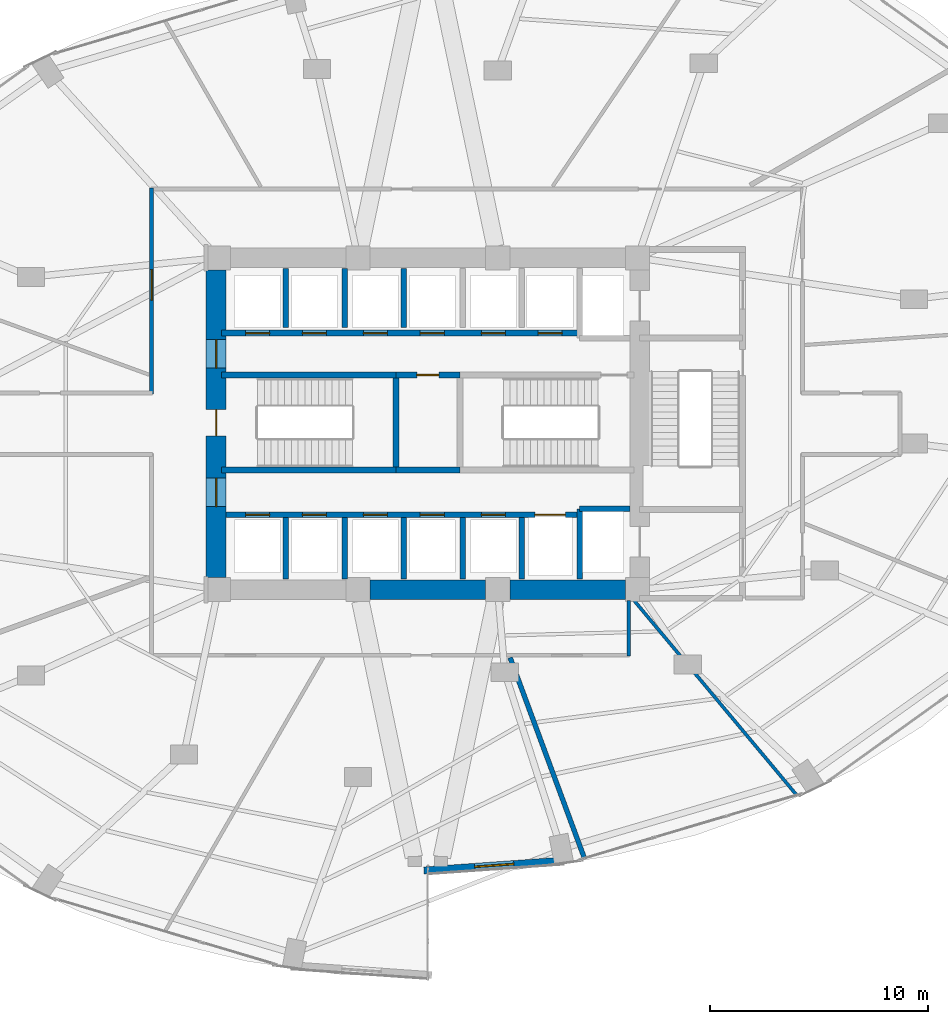
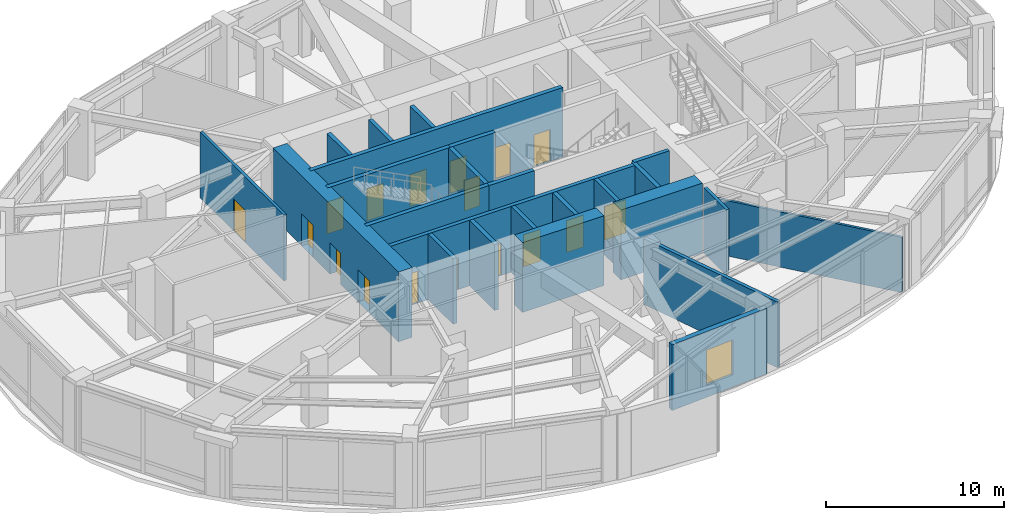
# One storey, part 21 of 24: 25 walls, 17 doors, 1 window, 18 openings.
"""IFC4 building model written with IfcOpenShell, lengths in metres."""

from ifc_helpers import new_model, si_unit, direction, frame, frame_2d, origin, place, context, subcontext, project, spatial, rectangle, extrude, material, layer, layer_set, type_object, element, fill, save


model = new_model("IFC4")

# Units and contexts
model_context = context("Model", 3, precision=1e-05, world=origin(), true_north=direction((0.0, 1.0)))
body_context = subcontext(model_context, "Body", "Model", "MODEL_VIEW")
ifc_project = project(units=[si_unit("LENGTHUNIT", "METRE"), si_unit("AREAUNIT", "SQUARE_METRE"), si_unit("VOLUMEUNIT", "CUBIC_METRE"), si_unit("PLANEANGLEUNIT", "RADIAN"), si_unit("MASSUNIT", "GRAM", prefix="KILO")], contexts=[model_context])

# Site, building, storey
site_placement = place(None, origin())
site = spatial("IfcSite", under=ifc_project, at=site_placement, CompositionType="ELEMENT")
building_placement = place(site_placement, origin())
building = spatial("IfcBuilding", under=site, at=building_placement, Name="Lazwardi Medical Tower", CompositionType="ELEMENT")
storey_placement = place(building_placement, frame((0.0, 0.0, 15.60009765625)))
storey = spatial("IfcBuildingStorey", under=building, at=storey_placement, Name="L03", CompositionType="ELEMENT", Elevation=15.60009765625)

# Wall, opening, door
ifc_material_1 = material(Name="Fire-rated gypsum board on steel stud", Category="steel")
ifc_layer_1 = layer(ifc_material_1, 0.179931640625)
ifc_layer_set_1 = layer_set([ifc_layer_1], Name="Fire-rated gypsum board on steel stud")
wall_type_1 = type_object("IfcWallType", Name="WL-COR-180", PredefinedType="PARTITIONING", material=ifc_layer_set_1)
wall_1_placement = place(storey_placement, frame((23.35009765625, 29.360107421875, 0.0), z_axis=(0.0, 0.0, 1.0), x_axis=(0.0, 1.0, 0.0)))
wall_1 = element("IfcWall", 1, at=wall_1_placement, inside=storey, type_object=wall_type_1, Name="L03 Corridor partition 3", PredefinedType="PARTITIONING", context=body_context, shape_type="SweptSolid", body=[
    extrude(rectangle(XDim=9.429931640625, YDim=0.179931640625, at=frame_2d((4.71484375, 0.0))), origin(), (0.0, 0.0, 1.0), 4.52001953125),
])
opening_1_placement = place(wall_1_placement, frame((4.298095703125, 0.0, 0.0)))
opening_1 = element("IfcOpeningElement", 2, at=opening_1_placement, cuts=wall_1, Name="Opening D-L03-015", PredefinedType="OPENING", context=body_context, shape_type="SweptSolid", body=[
    extrude(rectangle(XDim=1.39990234375, YDim=2.199951171875, at=frame_2d((0.699951171875, 1.10009765625))), frame((0.0, 0.099853515625, 0.0), z_axis=(0.0, -1.0, 0.0), x_axis=(1.0, 0.0, 0.0)), (0.0, 0.0, 1.0), 0.199951171875),
])
ifc_material_2 = material(Name="Anti-microbial laminate hospital leaf")
door_type_1 = type_object("IfcDoorType", Name="DR-BED-1400", OperationType="NOTDEFINED", PredefinedType="DOOR", material=ifc_material_2)
door_1_placement = place(opening_1_placement, origin())
door_1 = element("IfcDoor", 3, at=door_1_placement, inside=storey, type_object=door_type_1, Name="L03 Sterile Preparation Room Door 10", OperationType="SINGLE_SWING_RIGHT", OverallHeight=2.199951171875, OverallWidth=1.39990234375, PredefinedType="DOOR", context=body_context, shape_type="SweptSolid", body=[
    extrude(rectangle(XDim=1.39990234375, YDim=2.199951171875, at=frame_2d((0.699951171875, 1.10009765625))), frame((0.0, 0.02490234375, 0.0), z_axis=(0.0, -1.0, 0.0), x_axis=(1.0, 0.0, 0.0)), (0.0, 0.0, 1.0), 0.050048828125),
])
fill(opening_1, door_1)

# Wall
wall_2_placement = place(storey_placement, frame((45.199951171875, 19.909912109375, 0.0), z_axis=(0.0, 0.0, 1.0), x_axis=(0.0, -1.0, 0.0)))
element("IfcWall", 4, at=wall_2_placement, inside=storey, type_object=wall_type_1, Name="L03 Corridor partition 13", PredefinedType="PARTITIONING", context=body_context, shape_type="SweptSolid", body=[
    extrude(rectangle(XDim=2.5498046875, YDim=0.179931640625, at=frame_2d((1.27490234375, 0.0))), origin(), (0.0, 0.0, 1.0), 4.52001953125),
])

# Wall, openings, doors
ifc_material_3 = material(Name="Concrete C80/95", Category="concrete")
ifc_layer_2 = layer(ifc_material_3, 0.89990234375)
ifc_layer_set_2 = layer_set([ifc_layer_2], Name="Concrete C80/95")
wall_type_2 = type_object("IfcWallType", Name="WL-CORE-900", PredefinedType="SHEAR", material=ifc_layer_set_2)
wall_3_placement = place(storey_placement, frame((26.300048828125, 20.949951171875, 0.0), z_axis=(0.0, 0.0, 1.0), x_axis=(0.0, 1.0, 0.0)))
wall_3 = element("IfcWall", 5, at=wall_3_placement, inside=storey, type_object=wall_type_2, Name="Core wall CW-S1 west L03", PredefinedType="SHEAR", context=body_context, shape_type="SweptSolid", body=[
    extrude(rectangle(XDim=14.10009765625, YDim=0.89990234375, at=frame_2d((7.050048828125, 0.0))), origin(), (0.0, 0.0, 1.0), 4.7998046875),
])
opening_2_placement = place(wall_3_placement, frame((6.5, 0.0, 0.0)))
opening_2 = element("IfcOpeningElement", 6, at=opening_2_placement, cuts=wall_3, Name="Opening D-L03-016", PredefinedType="OPENING", context=body_context, shape_type="SweptSolid", body=[
    extrude(rectangle(XDim=1.199951171875, YDim=2.14990234375, at=frame_2d((0.60009765625, 1.074951171875))), frame((0.0, 0.4599609375, 0.0), z_axis=(0.0, -1.0, 0.0), x_axis=(1.0, 0.0, 0.0)), (0.0, 0.0, 1.0), 0.919921875),
])
opening_3_placement = place(wall_3_placement, frame((9.60009765625, 0.0, 0.0)))
opening_3 = element("IfcOpeningElement", 7, at=opening_3_placement, cuts=wall_3, Name="Opening D-L03-004", PredefinedType="OPENING", context=body_context, shape_type="SweptSolid", body=[
    extrude(rectangle(XDim=1.300048828125, YDim=2.199951171875, at=frame_2d((0.64990234375, 1.10009765625))), frame((0.0, 0.4599609375, 0.0), z_axis=(0.0, -1.0, 0.0), x_axis=(1.0, 0.0, 0.0)), (0.0, 0.0, 1.0), 0.919921875),
])
opening_4_placement = place(wall_3_placement, frame((3.260009765625, 0.0, 0.0)))
opening_4 = element("IfcOpeningElement", 8, at=opening_4_placement, cuts=wall_3, Name="Opening D-L03-005", PredefinedType="OPENING", context=body_context, shape_type="SweptSolid", body=[
    extrude(rectangle(XDim=1.300048828125, YDim=2.199951171875, at=frame_2d((0.64990234375, 1.10009765625))), frame((0.0, 0.4599609375, 0.0), z_axis=(0.0, -1.0, 0.0), x_axis=(1.0, 0.0, 0.0)), (0.0, 0.0, 1.0), 0.919921875),
])
ifc_material_4 = material(Name="Fire-rated steel leaf and frame", Category="steel")
door_type_2 = type_object("IfcDoorType", Name="DR-FFL-1300", OperationType="NOTDEFINED", PredefinedType="DOOR", material=ifc_material_4)
door_2_placement = place(opening_3_placement, origin())
door_2 = element("IfcDoor", 9, at=door_2_placement, inside=storey, type_object=door_type_2, Name="L03 North Lift Lobby Door", OperationType="SINGLE_SWING_RIGHT", OverallHeight=2.199951171875, OverallWidth=1.300048828125, PredefinedType="DOOR", context=body_context, shape_type="SweptSolid", body=[
    extrude(rectangle(XDim=1.300048828125, YDim=2.199951171875, at=frame_2d((0.64990234375, 1.10009765625))), frame((0.0, 0.02490234375, 0.0), z_axis=(0.0, -1.0, 0.0), x_axis=(1.0, 0.0, 0.0)), (0.0, 0.0, 1.0), 0.050048828125),
])
fill(opening_3, door_2)
door_3_placement = place(opening_4_placement, origin())
door_3 = element("IfcDoor", 10, at=door_3_placement, inside=storey, type_object=door_type_2, Name="L03 South Lift Lobby Door", OperationType="SINGLE_SWING_LEFT", OverallHeight=2.199951171875, OverallWidth=1.300048828125, PredefinedType="DOOR", context=body_context, shape_type="SweptSolid", body=[
    extrude(rectangle(XDim=1.300048828125, YDim=2.199951171875, at=frame_2d((0.64990234375, 1.10009765625))), frame((0.0, 0.02490234375, 0.0), z_axis=(0.0, -1.0, 0.0), x_axis=(1.0, 0.0, 0.0)), (0.0, 0.0, 1.0), 0.050048828125),
])
fill(opening_4, door_3)
door_type_3 = type_object("IfcDoorType", Name="DR-STR-1200", OperationType="NOTDEFINED", PredefinedType="DOOR", material=ifc_material_4)
door_4_placement = place(opening_2_placement, origin())
door_4 = element("IfcDoor", 11, at=door_4_placement, inside=storey, type_object=door_type_3, Name="L03 Exit Stair ST1 Door", OperationType="SINGLE_SWING_LEFT", OverallHeight=2.14990234375, OverallWidth=1.199951171875, PredefinedType="DOOR", context=body_context, shape_type="SweptSolid", body=[
    extrude(rectangle(XDim=1.199951171875, YDim=2.14990234375, at=frame_2d((0.60009765625, 1.074951171875))), frame((0.0, 0.02490234375, 0.0), z_axis=(0.0, -1.0, 0.0), x_axis=(1.0, 0.0, 0.0)), (0.0, 0.0, 1.0), 0.050048828125),
])
fill(opening_2, door_4)

# Walls
wall_4_placement = place(storey_placement, frame((33.35009765625, 20.39990234375, 0.0), z_axis=(0.0, 0.0, 1.0), x_axis=(1.0, 0.0, 0.0)))
element("IfcWall", 12, at=wall_4_placement, inside=storey, type_object=wall_type_2, Name="Core wall CW-S1 S2 L03", PredefinedType="SHEAR", context=body_context, shape_type="SweptSolid", body=[
    extrude(rectangle(XDim=5.2998046875, YDim=0.89990234375, at=frame_2d((2.64990234375, 0.0))), origin(), (0.0, 0.0, 1.0), 4.7998046875),
])
wall_5_placement = place(storey_placement, frame((39.75, 20.39990234375, 0.0), z_axis=(0.0, 0.0, 1.0), x_axis=(1.0, 0.0, 0.0)))
element("IfcWall", 13, at=wall_5_placement, inside=storey, type_object=wall_type_2, Name="Core wall CW-S1 S3 L03", PredefinedType="SHEAR", context=body_context, shape_type="SweptSolid", body=[
    extrude(rectangle(XDim=5.300048828125, YDim=0.89990234375, at=frame_2d((2.64990234375, 0.0))), origin(), (0.0, 0.0, 1.0), 4.7998046875),
])

# Wall, opening, window
ifc_material_5 = material(Name="Precast concrete C45/55", Category="concrete")
ifc_layer_3 = layer(ifc_material_5, 0.320068359375)
ifc_layer_set_3 = layer_set([ifc_layer_3], Name="Precast concrete C45/55")
wall_type_3 = type_object("IfcWallType", Name="WL-IWAN-320", PredefinedType="SOLIDWALL", material=ifc_layer_set_3)
wall_6_placement = place(storey_placement, frame((35.8203125, 7.54736328125, 0.0), z_axis=(0.0, 0.0, 1.0), x_axis=(0.99751367159, 0.070473221795, 0.0)))
wall_6 = element("IfcWall", 14, at=wall_6_placement, inside=storey, type_object=wall_type_3, Name="L03 Iwan Portal Return Wall SE_ret", PredefinedType="SOLIDWALL", context=body_context, shape_type="SweptSolid", body=[
    extrude(rectangle(XDim=6.45751953125, YDim=0.320068359375, at=frame_2d((3.228759765625, 0.0))), origin(), (0.0, 0.0, 1.0), 4.52001953125),
])
opening_5_placement = place(wall_6_placement, frame((2.32861328125, 0.0, 0.85009765625)))
opening_5 = element("IfcOpeningElement", 15, at=opening_5_placement, cuts=wall_6, Name="Opening WN-03", PredefinedType="OPENING", context=body_context, shape_type="SweptSolid", body=[
    extrude(rectangle(XDim=1.800048828125, YDim=2.39990234375, at=frame_2d((0.89990234375, 1.199951171875))), frame((0.0, 0.169921875, 0.0), z_axis=(0.0, -1.0, 0.0), x_axis=(1.0, 0.0, 0.0)), (0.0, 0.0, 1.0), 0.340087890625),
])
ifc_material_6 = material(Name="Laminated acoustic bronze double glazing", Category="glass")
window_type = type_object("IfcWindowType", Name="WIN-POD-1800", PartitioningType="SINGLE_PANEL", PredefinedType="WINDOW", material=ifc_material_6)
window_placement = place(opening_5_placement, origin())
window = element("IfcWindow", 16, at=window_placement, inside=storey, type_object=window_type, Name="L03 Iwan Slot Window SE_ret", OverallHeight=2.39990234375, OverallWidth=1.800048828125, PartitioningType="SINGLE_PANEL", PredefinedType="WINDOW", context=body_context, shape_type="SweptSolid", body=[
    extrude(rectangle(XDim=1.800048828125, YDim=2.39990234375, at=frame_2d((0.89990234375, 1.199951171875))), frame((0.0, 0.030029296875, 0.0), z_axis=(0.0, -1.0, 0.0), x_axis=(1.0, 0.0, 0.0)), (0.0, 0.0, 1.0), 0.06005859375),
])
fill(opening_5, window)

# Wall, openings, doors
ifc_material_7 = material(Name="Autoclaved aerated concrete blockwork", Category="masonry")
ifc_layer_4 = layer(ifc_material_7, 0.25)
ifc_layer_set_4 = layer_set([ifc_layer_4], Name="Autoclaved aerated concrete blockwork")
wall_type_4 = type_object("IfcWallType", Name="WL-SHAFT-250", PredefinedType="SOLIDWALL", material=ifc_layer_set_4)
wall_7_placement = place(storey_placement, frame((26.75, 23.830078125, 0.0), z_axis=(0.0, 0.0, 1.0), x_axis=(1.0, 0.0, 0.0)))
wall_7 = element("IfcWall", 17, at=wall_7_placement, inside=storey, type_object=wall_type_4, Name="L03 South lift bank front wall", PredefinedType="SOLIDWALL", context=body_context, shape_type="SweptSolid", body=[
    extrude(rectangle(XDim=16.199951171875, YDim=0.25, at=frame_2d((8.10009765625, 0.0))), origin(), (0.0, 0.0, 1.0), 4.52001953125),
])
opening_6_placement = place(wall_7_placement, frame((0.89990234375, 0.0, 0.0)))
opening_6 = element("IfcOpeningElement", 18, at=opening_6_placement, cuts=wall_7, Name="Opening LD-L03-006", PredefinedType="OPENING", context=body_context, shape_type="SweptSolid", body=[
    extrude(rectangle(XDim=1.10009765625, YDim=2.199951171875, at=frame_2d((0.550048828125, 1.10009765625))), frame((0.0, 0.135009765625, 0.0), z_axis=(0.0, -1.0, 0.0), x_axis=(1.0, 0.0, 0.0)), (0.0, 0.0, 1.0), 0.27001953125),
])
opening_7_placement = place(wall_7_placement, frame((3.5, 0.0, 0.0)))
opening_7 = element("IfcOpeningElement", 19, at=opening_7_placement, cuts=wall_7, Name="Opening LD-L03-007", PredefinedType="OPENING", context=body_context, shape_type="SweptSolid", body=[
    extrude(rectangle(XDim=1.10009765625, YDim=2.199951171875, at=frame_2d((0.550048828125, 1.10009765625))), frame((0.0, 0.135009765625, 0.0), z_axis=(0.0, -1.0, 0.0), x_axis=(1.0, 0.0, 0.0)), (0.0, 0.0, 1.0), 0.27001953125),
])
opening_8_placement = place(wall_7_placement, frame((6.300048828125, 0.0, 0.0)))
opening_8 = element("IfcOpeningElement", 20, at=opening_8_placement, cuts=wall_7, Name="Opening LD-L03-010", PredefinedType="OPENING", context=body_context, shape_type="SweptSolid", body=[
    extrude(rectangle(XDim=1.10009765625, YDim=2.199951171875, at=frame_2d((0.550048828125, 1.10009765625))), frame((0.0, 0.135009765625, 0.0), z_axis=(0.0, -1.0, 0.0), x_axis=(1.0, 0.0, 0.0)), (0.0, 0.0, 1.0), 0.27001953125),
])
opening_9_placement = place(wall_7_placement, frame((8.89990234375, 0.0, 0.0)))
opening_9 = element("IfcOpeningElement", 21, at=opening_9_placement, cuts=wall_7, Name="Opening LD-L03-011", PredefinedType="OPENING", context=body_context, shape_type="SweptSolid", body=[
    extrude(rectangle(XDim=1.10009765625, YDim=2.199951171875, at=frame_2d((0.550048828125, 1.10009765625))), frame((0.0, 0.135009765625, 0.0), z_axis=(0.0, -1.0, 0.0), x_axis=(1.0, 0.0, 0.0)), (0.0, 0.0, 1.0), 0.27001953125),
])
opening_10_placement = place(wall_7_placement, frame((11.699951171875, 0.0, 0.0)))
opening_10 = element("IfcOpeningElement", 22, at=opening_10_placement, cuts=wall_7, Name="Opening LD-L03-014", PredefinedType="OPENING", context=body_context, shape_type="SweptSolid", body=[
    extrude(rectangle(XDim=1.10009765625, YDim=2.199951171875, at=frame_2d((0.550048828125, 1.10009765625))), frame((0.0, 0.135009765625, 0.0), z_axis=(0.0, -1.0, 0.0), x_axis=(1.0, 0.0, 0.0)), (0.0, 0.0, 1.0), 0.27001953125),
])
opening_11_placement = place(wall_7_placement, frame((14.14990234375, 0.0, 0.0)))
opening_11 = element("IfcOpeningElement", 23, at=opening_11_placement, cuts=wall_7, Name="Opening LD-L03-003", PredefinedType="OPENING", context=body_context, shape_type="SweptSolid", body=[
    extrude(rectangle(XDim=1.39990234375, YDim=2.300048828125, at=frame_2d((0.699951171875, 1.14990234375))), frame((0.0, 0.135009765625, 0.0), z_axis=(0.0, -1.0, 0.0), x_axis=(1.0, 0.0, 0.0)), (0.0, 0.0, 1.0), 0.27001953125),
])
ifc_material_8 = material(Name="Brushed bronze stainless steel landing door", Category="steel")
door_type_4 = type_object("IfcDoorType", Name="DR-LFT-1100", OperationType="NOTDEFINED", PredefinedType="DOOR", material=ifc_material_8)
door_5_placement = place(opening_6_placement, origin())
door_5 = element("IfcDoor", 24, at=door_5_placement, inside=storey, type_object=door_type_4, Name="L03 Lift Landing Door PL-03", OperationType="SLIDING_TO_LEFT", OverallHeight=2.199951171875, OverallWidth=1.10009765625, PredefinedType="DOOR", context=body_context, shape_type="SweptSolid", body=[
    extrude(rectangle(XDim=1.10009765625, YDim=2.199951171875, at=frame_2d((0.550048828125, 1.10009765625))), frame((0.0, 0.02490234375, 0.0), z_axis=(0.0, -1.0, 0.0), x_axis=(1.0, 0.0, 0.0)), (0.0, 0.0, 1.0), 0.050048828125),
])
fill(opening_6, door_5)
door_6_placement = place(opening_7_placement, origin())
door_6 = element("IfcDoor", 25, at=door_6_placement, inside=storey, type_object=door_type_4, Name="L03 Lift Landing Door PL-04", OperationType="SLIDING_TO_LEFT", OverallHeight=2.199951171875, OverallWidth=1.10009765625, PredefinedType="DOOR", context=body_context, shape_type="SweptSolid", body=[
    extrude(rectangle(XDim=1.10009765625, YDim=2.199951171875, at=frame_2d((0.550048828125, 1.10009765625))), frame((0.0, 0.02490234375, 0.0), z_axis=(0.0, -1.0, 0.0), x_axis=(1.0, 0.0, 0.0)), (0.0, 0.0, 1.0), 0.050048828125),
])
fill(opening_7, door_6)
door_7_placement = place(opening_8_placement, origin())
door_7 = element("IfcDoor", 26, at=door_7_placement, inside=storey, type_object=door_type_4, Name="L03 Lift Landing Door PL-07", OperationType="SLIDING_TO_LEFT", OverallHeight=2.199951171875, OverallWidth=1.10009765625, PredefinedType="DOOR", context=body_context, shape_type="SweptSolid", body=[
    extrude(rectangle(XDim=1.10009765625, YDim=2.199951171875, at=frame_2d((0.550048828125, 1.10009765625))), frame((0.0, 0.02490234375, 0.0), z_axis=(0.0, -1.0, 0.0), x_axis=(1.0, 0.0, 0.0)), (0.0, 0.0, 1.0), 0.050048828125),
])
fill(opening_8, door_7)
door_8_placement = place(opening_9_placement, origin())
door_8 = element("IfcDoor", 27, at=door_8_placement, inside=storey, type_object=door_type_4, Name="L03 Lift Landing Door PL-08", OperationType="SLIDING_TO_LEFT", OverallHeight=2.199951171875, OverallWidth=1.10009765625, PredefinedType="DOOR", context=body_context, shape_type="SweptSolid", body=[
    extrude(rectangle(XDim=1.10009765625, YDim=2.199951171875, at=frame_2d((0.550048828125, 1.10009765625))), frame((0.0, 0.02490234375, 0.0), z_axis=(0.0, -1.0, 0.0), x_axis=(1.0, 0.0, 0.0)), (0.0, 0.0, 1.0), 0.050048828125),
])
fill(opening_9, door_8)
door_9_placement = place(opening_10_placement, origin())
door_9 = element("IfcDoor", 28, at=door_9_placement, inside=storey, type_object=door_type_4, Name="L03 Lift Landing Door PL-11", OperationType="SLIDING_TO_LEFT", OverallHeight=2.199951171875, OverallWidth=1.10009765625, PredefinedType="DOOR", context=body_context, shape_type="SweptSolid", body=[
    extrude(rectangle(XDim=1.10009765625, YDim=2.199951171875, at=frame_2d((0.550048828125, 1.10009765625))), frame((0.0, 0.02490234375, 0.0), z_axis=(0.0, -1.0, 0.0), x_axis=(1.0, 0.0, 0.0)), (0.0, 0.0, 1.0), 0.050048828125),
])
fill(opening_10, door_9)
ifc_material_9 = material(Name="Brushed stainless steel bed-lift landing door", Category="steel")
door_type_5 = type_object("IfcDoorType", Name="DR-LFT-1400", OperationType="NOTDEFINED", PredefinedType="DOOR", material=ifc_material_9)
door_10_placement = place(opening_11_placement, origin())
door_10 = element("IfcDoor", 29, at=door_10_placement, inside=storey, type_object=door_type_5, Name="L03 Lift Landing Door FL-03", OperationType="SLIDING_TO_LEFT", OverallHeight=2.300048828125, OverallWidth=1.39990234375, PredefinedType="DOOR", context=body_context, shape_type="SweptSolid", body=[
    extrude(rectangle(XDim=1.39990234375, YDim=2.300048828125, at=frame_2d((0.699951171875, 1.14990234375))), frame((0.0, 0.02490234375, 0.0), z_axis=(0.0, -1.0, 0.0), x_axis=(1.0, 0.0, 0.0)), (0.0, 0.0, 1.0), 0.050048828125),
])
fill(opening_11, door_10)

# Walls
wall_8_placement = place(storey_placement, frame((42.949951171875, 20.89990234375, 0.0), z_axis=(0.0, 0.0, 1.0), x_axis=(0.0, 1.0, 0.0)))
element("IfcWall", 30, at=wall_8_placement, inside=storey, type_object=wall_type_4, Name="L03 FL-02 West shaft wall", PredefinedType="SOLIDWALL", context=body_context, shape_type="SweptSolid", body=[
    extrude(rectangle(XDim=3.2001953125, YDim=0.25, at=frame_2d((1.60009765625, 0.0))), origin(), (0.0, 0.0, 1.0), 4.52001953125),
])
wall_9_placement = place(storey_placement, frame((42.949951171875, 24.10009765625, 0.0), z_axis=(0.0, 0.0, 1.0), x_axis=(1.0, 0.0, 0.0)))
element("IfcWall", 31, at=wall_9_placement, inside=storey, type_object=wall_type_4, Name="L03 FL-02 North shaft wall", PredefinedType="SOLIDWALL", context=body_context, shape_type="SweptSolid", body=[
    extrude(rectangle(XDim=2.300048828125, YDim=0.25, at=frame_2d((1.14990234375, 0.0))), origin(), (0.0, 0.0, 1.0), 4.52001953125),
])
wall_10_placement = place(storey_placement, frame((29.5, 32.419921875, 0.0), z_axis=(0.0, 0.0, 1.0), x_axis=(0.0, 1.0, 0.0)))
element("IfcWall", 32, at=wall_10_placement, inside=storey, type_object=wall_type_4, Name="L03 North hoistway divider", PredefinedType="SOLIDWALL", context=body_context, shape_type="SweptSolid", body=[
    extrude(rectangle(XDim=2.68017578125, YDim=0.25, at=frame_2d((1.340087890625, 0.0))), origin(), (0.0, 0.0, 1.0), 4.52001953125),
])
wall_11_placement = place(storey_placement, frame((29.5, 20.89990234375, 0.0), z_axis=(0.0, 0.0, 1.0), x_axis=(0.0, 1.0, 0.0)))
element("IfcWall", 33, at=wall_11_placement, inside=storey, type_object=wall_type_4, Name="L03 South hoistway divider", PredefinedType="SOLIDWALL", context=body_context, shape_type="SweptSolid", body=[
    extrude(rectangle(XDim=2.800048828125, YDim=0.25, at=frame_2d((1.39990234375, 0.0))), origin(), (0.0, 0.0, 1.0), 4.52001953125),
])
wall_12_placement = place(storey_placement, frame((32.199951171875, 32.419921875, 0.0), z_axis=(0.0, 0.0, 1.0), x_axis=(0.0, 1.0, 0.0)))
element("IfcWall", 34, at=wall_12_placement, inside=storey, type_object=wall_type_4, Name="L03 North hoistway divider", PredefinedType="SOLIDWALL", context=body_context, shape_type="SweptSolid", body=[
    extrude(rectangle(XDim=2.68017578125, YDim=0.25, at=frame_2d((1.340087890625, 0.0))), origin(), (0.0, 0.0, 1.0), 4.52001953125),
])
wall_13_placement = place(storey_placement, frame((32.199951171875, 20.89990234375, 0.0), z_axis=(0.0, 0.0, 1.0), x_axis=(0.0, 1.0, 0.0)))
element("IfcWall", 35, at=wall_13_placement, inside=storey, type_object=wall_type_4, Name="L03 South hoistway divider", PredefinedType="SOLIDWALL", context=body_context, shape_type="SweptSolid", body=[
    extrude(rectangle(XDim=2.800048828125, YDim=0.25, at=frame_2d((1.39990234375, 0.0))), origin(), (0.0, 0.0, 1.0), 4.52001953125),
])
wall_14_placement = place(storey_placement, frame((34.89990234375, 32.419921875, 0.0), z_axis=(0.0, 0.0, 1.0), x_axis=(0.0, 1.0, 0.0)))
element("IfcWall", 36, at=wall_14_placement, inside=storey, type_object=wall_type_4, Name="L03 North hoistway divider", PredefinedType="SOLIDWALL", context=body_context, shape_type="SweptSolid", body=[
    extrude(rectangle(XDim=2.68017578125, YDim=0.25, at=frame_2d((1.340087890625, 0.0))), origin(), (0.0, 0.0, 1.0), 4.52001953125),
])
for number, where, z_axis, x_axis, name in (
    (37, (34.89990234375, 20.89990234375, 0.0), (0.0, 0.0, 1.0), (0.0, 1.0, 0.0), "L03 South hoistway divider"),
    (38, (37.60009765625, 20.89990234375, 0.0), (0.0, 0.0, 1.0), (0.0, 1.0, 0.0), "L03 South hoistway divider"),
    (39, (40.300048828125, 20.89990234375, 0.0), (0.0, 0.0, 1.0), (0.0, 1.0, 0.0), "L03 South hoistway divider"),
):
    element("IfcWall", number, at=place(storey_placement, frame(where, z_axis=z_axis, x_axis=x_axis)), inside=storey, type_object=wall_type_4, Name=name, PredefinedType="SOLIDWALL", context=body_context, shape_type="SweptSolid", body=[
        extrude(rectangle(XDim=2.800048828125, YDim=0.25, at=frame_2d((1.39990234375, 0.0))), origin(), (0.0, 0.0, 1.0), 4.52001953125),
    ])
ifc_layer_5 = layer(ifc_material_1, 0.219970703125)
ifc_layer_set_5 = layer_set([ifc_layer_5], Name="Fire-rated gypsum board on steel stud")
wall_type_5 = type_object("IfcWallType", Name="WL-SMK-220", PredefinedType="PARTITIONING", material=ifc_layer_set_5)
wall_15_placement = place(storey_placement, frame((39.76708984375, 17.289794921875, 0.0), z_axis=(0.0, 0.0, 1.0), x_axis=(0.347365452064, -0.937729834607, 0.0)))
element("IfcWall", 40, at=wall_15_placement, inside=storey, type_object=wall_type_5, Name="L03 Room partition 1", PredefinedType="PARTITIONING", context=body_context, shape_type="SweptSolid", body=[
    extrude(rectangle(XDim=9.803955078125, YDim=0.219970703125, at=frame_2d((4.90185546875, 0.0))), origin(), (0.0, 0.0, 1.0), 4.52001953125),
])
ifc_material_10 = material(Name="Concrete C50/60", Category="concrete")
ifc_layer_6 = layer(ifc_material_10, 0.27001953125)
ifc_layer_set_6 = layer_set([ifc_layer_6], Name="Concrete C50/60")
wall_type_6 = type_object("IfcWallType", Name="WL-STR-250", PredefinedType="SHEAR", material=ifc_layer_set_6)
wall_16_placement = place(storey_placement, frame((26.550048828125, 30.235107421875, 0.0), z_axis=(0.0, 0.0, 1.0), x_axis=(1.0, 0.0, 0.0)))
element("IfcWall", 41, at=wall_16_placement, inside=storey, type_object=wall_type_6, Name="L03 ST1 North shear shaft wall SW-S1", PredefinedType="SHEAR", context=body_context, shape_type="SweptSolid", body=[
    extrude(rectangle(XDim=7.98486328125, YDim=0.27001953125, at=frame_2d((3.992431640625, 0.0))), origin(), (0.0, 0.0, 1.0), 4.7998046875),
])

# Wall, opening, door
wall_17_placement = place(storey_placement, frame((34.534912109375, 30.235107421875, 0.0), z_axis=(0.0, 0.0, 1.0), x_axis=(1.0, 0.0, 0.0)))
wall_17 = element("IfcWall", 42, at=wall_17_placement, inside=storey, type_object=wall_type_6, Name="L03 Core service North shear wall SW-S1", PredefinedType="SHEAR", context=body_context, shape_type="SweptSolid", body=[
    extrude(rectangle(XDim=2.93017578125, YDim=0.27001953125, at=frame_2d((1.465087890625, 0.0))), origin(), (0.0, 0.0, 1.0), 4.7998046875),
])
opening_12_placement = place(wall_17_placement, frame((0.965087890625, 0.0, 0.0)))
opening_12 = element("IfcOpeningElement", 43, at=opening_12_placement, cuts=wall_17, Name="Opening D-L03-001", PredefinedType="OPENING", context=body_context, shape_type="SweptSolid", body=[
    extrude(rectangle(XDim=1.0, YDim=2.10009765625, at=frame_2d((0.5, 1.050048828125))), frame((0.0, 0.14501953125, 0.0), z_axis=(0.0, -1.0, 0.0), x_axis=(1.0, 0.0, 0.0)), (0.0, 0.0, 1.0), 0.2900390625),
])
ifc_material_11 = material(Name="Moisture-resistant laminate door leaf")
door_type_6 = type_object("IfcDoorType", Name="DR-AWC-1000", OperationType="NOTDEFINED", PredefinedType="DOOR", material=ifc_material_11)
door_11_placement = place(opening_12_placement, origin())
door_11 = element("IfcDoor", 44, at=door_11_placement, inside=storey, type_object=door_type_6, Name="L03 Accessible WC Door", OperationType="SINGLE_SWING_LEFT", OverallHeight=2.10009765625, OverallWidth=1.0, PredefinedType="DOOR", context=body_context, shape_type="SweptSolid", body=[
    extrude(rectangle(XDim=1.0, YDim=2.10009765625, at=frame_2d((0.5, 1.050048828125))), frame((0.0, 0.02490234375, 0.0), z_axis=(0.0, -1.0, 0.0), x_axis=(1.0, 0.0, 0.0)), (0.0, 0.0, 1.0), 0.050048828125),
])
fill(opening_12, door_11)

# Walls
wall_18_placement = place(storey_placement, frame((26.550048828125, 25.885009765625, 0.0), z_axis=(0.0, 0.0, 1.0), x_axis=(1.0, 0.0, 0.0)))
element("IfcWall", 45, at=wall_18_placement, inside=storey, type_object=wall_type_6, Name="L03 ST1 South shear shaft wall SW-S1", PredefinedType="SHEAR", context=body_context, shape_type="SweptSolid", body=[
    extrude(rectangle(XDim=7.98486328125, YDim=0.27001953125, at=frame_2d((3.992431640625, 0.0))), origin(), (0.0, 0.0, 1.0), 4.7998046875),
])
wall_19_placement = place(storey_placement, frame((34.534912109375, 25.885009765625, 0.0), z_axis=(0.0, 0.0, 1.0), x_axis=(1.0, 0.0, 0.0)))
element("IfcWall", 46, at=wall_19_placement, inside=storey, type_object=wall_type_6, Name="L03 Core service South shear wall SW-S1", PredefinedType="SHEAR", context=body_context, shape_type="SweptSolid", body=[
    extrude(rectangle(XDim=2.93017578125, YDim=0.27001953125, at=frame_2d((1.465087890625, 0.0))), origin(), (0.0, 0.0, 1.0), 4.7998046875),
])
wall_20_placement = place(storey_placement, frame((34.534912109375, 26.02001953125, 0.0), z_axis=(0.0, 0.0, 1.0), x_axis=(0.0, 1.0, 0.0)))
element("IfcWall", 47, at=wall_20_placement, inside=storey, type_object=wall_type_6, Name="L03 ST1 East shear shaft wall SW-S1", PredefinedType="SHEAR", context=body_context, shape_type="SweptSolid", body=[
    extrude(rectangle(XDim=4.080078125, YDim=0.27001953125, at=frame_2d((2.0400390625, 0.0))), origin(), (0.0, 0.0, 1.0), 4.7998046875),
])

# Wall, openings, doors
wall_21_placement = place(storey_placement, frame((26.550048828125, 32.14990234375, 0.0), z_axis=(0.0, 0.0, 1.0), x_axis=(1.0, 0.0, 0.0)))
wall_21 = element("IfcWall", 48, at=wall_21_placement, inside=storey, type_object=wall_type_6, Name="L03 North lift bank shear wall SW-S1", PredefinedType="SHEAR", context=body_context, shape_type="SweptSolid", body=[
    extrude(rectangle(XDim=16.39990234375, YDim=0.27001953125, at=frame_2d((8.199951171875, 0.0))), origin(), (0.0, 0.0, 1.0), 4.7998046875),
])
opening_13_placement = place(wall_21_placement, frame((1.10009765625, 0.0, 0.0)))
opening_13 = element("IfcOpeningElement", 49, at=opening_13_placement, cuts=wall_21, Name="Opening LD-L03-004", PredefinedType="OPENING", context=body_context, shape_type="SweptSolid", body=[
    extrude(rectangle(XDim=1.10009765625, YDim=2.199951171875, at=frame_2d((0.550048828125, 1.10009765625))), frame((0.0, 0.14501953125, 0.0), z_axis=(0.0, -1.0, 0.0), x_axis=(1.0, 0.0, 0.0)), (0.0, 0.0, 1.0), 0.2900390625),
])
opening_14_placement = place(wall_21_placement, frame((3.699951171875, 0.0, 0.0)))
opening_14 = element("IfcOpeningElement", 50, at=opening_14_placement, cuts=wall_21, Name="Opening LD-L03-005", PredefinedType="OPENING", context=body_context, shape_type="SweptSolid", body=[
    extrude(rectangle(XDim=1.10009765625, YDim=2.199951171875, at=frame_2d((0.550048828125, 1.10009765625))), frame((0.0, 0.14501953125, 0.0), z_axis=(0.0, -1.0, 0.0), x_axis=(1.0, 0.0, 0.0)), (0.0, 0.0, 1.0), 0.2900390625),
])
opening_15_placement = place(wall_21_placement, frame((6.5, 0.0, 0.0)))
opening_15 = element("IfcOpeningElement", 51, at=opening_15_placement, cuts=wall_21, Name="Opening LD-L03-008", PredefinedType="OPENING", context=body_context, shape_type="SweptSolid", body=[
    extrude(rectangle(XDim=1.10009765625, YDim=2.199951171875, at=frame_2d((0.550048828125, 1.10009765625))), frame((0.0, 0.14501953125, 0.0), z_axis=(0.0, -1.0, 0.0), x_axis=(1.0, 0.0, 0.0)), (0.0, 0.0, 1.0), 0.2900390625),
])
opening_16_placement = place(wall_21_placement, frame((9.10009765625, 0.0, 0.0)))
opening_16 = element("IfcOpeningElement", 52, at=opening_16_placement, cuts=wall_21, Name="Opening LD-L03-009", PredefinedType="OPENING", context=body_context, shape_type="SweptSolid", body=[
    extrude(rectangle(XDim=1.10009765625, YDim=2.199951171875, at=frame_2d((0.550048828125, 1.10009765625))), frame((0.0, 0.14501953125, 0.0), z_axis=(0.0, -1.0, 0.0), x_axis=(1.0, 0.0, 0.0)), (0.0, 0.0, 1.0), 0.2900390625),
])
opening_17_placement = place(wall_21_placement, frame((11.89990234375, 0.0, 0.0)))
opening_17 = element("IfcOpeningElement", 53, at=opening_17_placement, cuts=wall_21, Name="Opening LD-L03-012", PredefinedType="OPENING", context=body_context, shape_type="SweptSolid", body=[
    extrude(rectangle(XDim=1.10009765625, YDim=2.199951171875, at=frame_2d((0.550048828125, 1.10009765625))), frame((0.0, 0.14501953125, 0.0), z_axis=(0.0, -1.0, 0.0), x_axis=(1.0, 0.0, 0.0)), (0.0, 0.0, 1.0), 0.2900390625),
])
opening_18_placement = place(wall_21_placement, frame((14.5, 0.0, 0.0)))
opening_18 = element("IfcOpeningElement", 54, at=opening_18_placement, cuts=wall_21, Name="Opening LD-L03-013", PredefinedType="OPENING", context=body_context, shape_type="SweptSolid", body=[
    extrude(rectangle(XDim=1.10009765625, YDim=2.199951171875, at=frame_2d((0.550048828125, 1.10009765625))), frame((0.0, 0.14501953125, 0.0), z_axis=(0.0, -1.0, 0.0), x_axis=(1.0, 0.0, 0.0)), (0.0, 0.0, 1.0), 0.2900390625),
])
door_12_placement = place(opening_13_placement, origin())
door_12 = element("IfcDoor", 55, at=door_12_placement, inside=storey, type_object=door_type_4, Name="L03 Lift Landing Door PL-01", OperationType="SLIDING_TO_LEFT", OverallHeight=2.199951171875, OverallWidth=1.10009765625, PredefinedType="DOOR", context=body_context, shape_type="SweptSolid", body=[
    extrude(rectangle(XDim=1.10009765625, YDim=2.199951171875, at=frame_2d((0.550048828125, 1.10009765625))), frame((0.0, 0.02490234375, 0.0), z_axis=(0.0, -1.0, 0.0), x_axis=(1.0, 0.0, 0.0)), (0.0, 0.0, 1.0), 0.050048828125),
])
fill(opening_13, door_12)
door_13_placement = place(opening_14_placement, origin())
door_13 = element("IfcDoor", 56, at=door_13_placement, inside=storey, type_object=door_type_4, Name="L03 Lift Landing Door PL-02", OperationType="SLIDING_TO_LEFT", OverallHeight=2.199951171875, OverallWidth=1.10009765625, PredefinedType="DOOR", context=body_context, shape_type="SweptSolid", body=[
    extrude(rectangle(XDim=1.10009765625, YDim=2.199951171875, at=frame_2d((0.550048828125, 1.10009765625))), frame((0.0, 0.02490234375, 0.0), z_axis=(0.0, -1.0, 0.0), x_axis=(1.0, 0.0, 0.0)), (0.0, 0.0, 1.0), 0.050048828125),
])
fill(opening_14, door_13)
door_14_placement = place(opening_15_placement, origin())
door_14 = element("IfcDoor", 57, at=door_14_placement, inside=storey, type_object=door_type_4, Name="L03 Lift Landing Door PL-05", OperationType="SLIDING_TO_LEFT", OverallHeight=2.199951171875, OverallWidth=1.10009765625, PredefinedType="DOOR", context=body_context, shape_type="SweptSolid", body=[
    extrude(rectangle(XDim=1.10009765625, YDim=2.199951171875, at=frame_2d((0.550048828125, 1.10009765625))), frame((0.0, 0.02490234375, 0.0), z_axis=(0.0, -1.0, 0.0), x_axis=(1.0, 0.0, 0.0)), (0.0, 0.0, 1.0), 0.050048828125),
])
fill(opening_15, door_14)
door_15_placement = place(opening_16_placement, origin())
door_15 = element("IfcDoor", 58, at=door_15_placement, inside=storey, type_object=door_type_4, Name="L03 Lift Landing Door PL-06", OperationType="SLIDING_TO_LEFT", OverallHeight=2.199951171875, OverallWidth=1.10009765625, PredefinedType="DOOR", context=body_context, shape_type="SweptSolid", body=[
    extrude(rectangle(XDim=1.10009765625, YDim=2.199951171875, at=frame_2d((0.550048828125, 1.10009765625))), frame((0.0, 0.02490234375, 0.0), z_axis=(0.0, -1.0, 0.0), x_axis=(1.0, 0.0, 0.0)), (0.0, 0.0, 1.0), 0.050048828125),
])
fill(opening_16, door_15)
door_16_placement = place(opening_17_placement, origin())
door_16 = element("IfcDoor", 59, at=door_16_placement, inside=storey, type_object=door_type_4, Name="L03 Lift Landing Door PL-09", OperationType="SLIDING_TO_LEFT", OverallHeight=2.199951171875, OverallWidth=1.10009765625, PredefinedType="DOOR", context=body_context, shape_type="SweptSolid", body=[
    extrude(rectangle(XDim=1.10009765625, YDim=2.199951171875, at=frame_2d((0.550048828125, 1.10009765625))), frame((0.0, 0.02490234375, 0.0), z_axis=(0.0, -1.0, 0.0), x_axis=(1.0, 0.0, 0.0)), (0.0, 0.0, 1.0), 0.050048828125),
])
fill(opening_17, door_16)
door_17_placement = place(opening_18_placement, origin())
door_17 = element("IfcDoor", 60, at=door_17_placement, inside=storey, type_object=door_type_4, Name="L03 Lift Landing Door PL-10", OperationType="SLIDING_TO_LEFT", OverallHeight=2.199951171875, OverallWidth=1.10009765625, PredefinedType="DOOR", context=body_context, shape_type="SweptSolid", body=[
    extrude(rectangle(XDim=1.10009765625, YDim=2.199951171875, at=frame_2d((0.550048828125, 1.10009765625))), frame((0.0, 0.02490234375, 0.0), z_axis=(0.0, -1.0, 0.0), x_axis=(1.0, 0.0, 0.0)), (0.0, 0.0, 1.0), 0.050048828125),
])
fill(opening_18, door_17)

# Wall
ifc_material_12 = material(Name="Acoustic gypsum board partition")
ifc_layer_7 = layer(ifc_material_12, 0.14990234375)
ifc_layer_set_7 = layer_set([ifc_layer_7], Name="Acoustic gypsum board partition")
wall_type_7 = type_object("IfcWallType", Name="WL-WRD-150", PredefinedType="PARTITIONING", material=ifc_layer_set_7)
wall_22_placement = place(storey_placement, frame((45.407470703125, 19.950439453125, 0.0), z_axis=(0.0, 0.0, 1.0), x_axis=(0.641117276754, -0.767442921296, 0.0)))
element("IfcWall", 61, at=wall_22_placement, inside=storey, type_object=wall_type_7, Name="L03 Room partition 2", PredefinedType="PARTITIONING", context=body_context, shape_type="SweptSolid", body=[
    extrude(rectangle(XDim=11.680908203125, YDim=0.14990234375, at=frame_2d((5.84033203125, 0.0))), origin(), (0.0, 0.0, 1.0), 3.804931640625),
])

save(model, "model.ifc")
